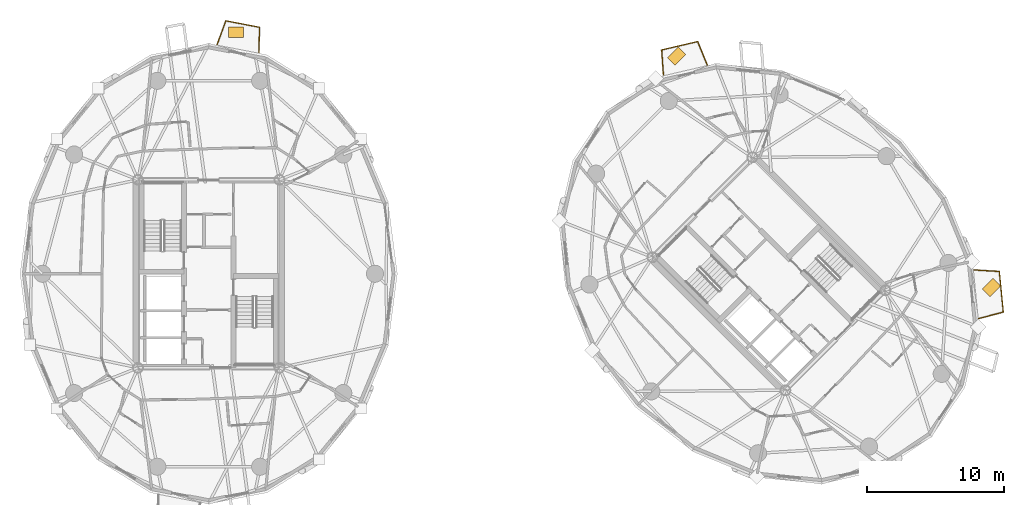
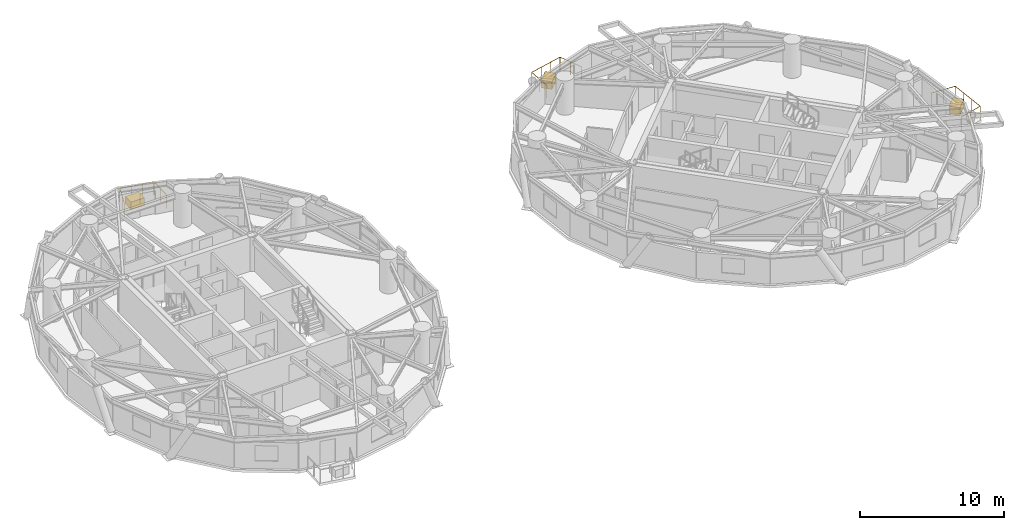
# One storey, part 19 of 19: 3 coverings, 3 railings.
"""IFC4 building model written with IfcOpenShell, lengths in metres."""

from ifc_helpers import new_model, si_unit, direction, frame, origin, origin_2d, place, context, subcontext, project, spatial, rectangle, circle, extrude, source, transform, mapped, material, layer, layer_set, type_object, element, save


model = new_model("IFC4")

# Units and contexts
model_context = context("Model", 3, precision=1e-05, world=origin(), true_north=direction((0.0, 1.0)))
body_context = subcontext(model_context, "Body", "Model", "MODEL_VIEW")
ifc_project = project(units=[si_unit("LENGTHUNIT", "METRE"), si_unit("AREAUNIT", "SQUARE_METRE"), si_unit("VOLUMEUNIT", "CUBIC_METRE"), si_unit("PLANEANGLEUNIT", "RADIAN"), si_unit("MASSUNIT", "GRAM", prefix="KILO")], contexts=[model_context])

# Site, building, storey
site_placement = place(None, origin())
site = spatial("IfcSite", under=ifc_project, at=site_placement, CompositionType="ELEMENT")
building_placement = place(site_placement, origin())
building = spatial("IfcBuilding", under=site, at=building_placement, Name="Cununo Teusaquillo Station Towers", CompositionType="ELEMENT")
storey_placement = place(building_placement, frame((0.0, 0.0, 177.7900390625)))
storey = spatial("IfcBuildingStorey", under=building, at=storey_placement, Name="L56", CompositionType="ELEMENT", Elevation=177.7900390625)

# Railings
ifc_material_1 = material(Name="Anodised dark bronze aluminium EN AW-6063-T6", Category="aluminium")
railing_type = type_object("IfcRailingType", Name="RL-EXT-GUARD", PredefinedType="GUARDRAIL", material=ifc_material_1)
railing_1_placement = place(storey_placement, frame((17.116455078125, 41.27734375, 0.0)))
element("IfcRailing", 1, at=railing_1_placement, inside=storey, type_object=railing_type, Name="L56 Tower A Balcony Guardrail C04", PredefinedType="GUARDRAIL", context=body_context, shape_type="SweptSolid", body=[
    extrude(circle(Radius=0.02392578125, at=origin_2d()), frame((0.0, 0.0, 1.1259765625), z_axis=(0.3440608985, 0.938947335117, 0.0), x_axis=(-0.938947335117, 0.3440608985, 0.0)), (0.0, 0.0, 1.0), 1.851318359375),
    extrude(circle(Radius=0.02392578125, at=origin_2d()), frame((0.636962890625, 1.73828125, 1.1259765625), z_axis=(0.981842829823, -0.189696224332, 0.0), x_axis=(0.189696224332, 0.981842829823, 0.0)), (0.0, 0.0, 1.0), 2.517333984375),
    extrude(circle(Radius=0.02392578125, at=origin_2d()), frame((3.108642578125, 1.2607421875, 1.1259765625), z_axis=(-0.030460792522, -0.999535962394, 0.0), x_axis=(0.999535962394, -0.030460792522, 0.0)), (0.0, 0.0, 1.0), 1.8515625),
    extrude(circle(Radius=0.02099609375, at=origin_2d()), origin(), (0.0, 0.0, 1.0), 1.101806640625),
    extrude(circle(Radius=0.02099609375, at=origin_2d()), frame((0.318359375, 0.869140625, 0.0)), (0.0, 0.0, 1.0), 1.101806640625),
    extrude(circle(Radius=0.02099609375, at=origin_2d()), frame((0.636962890625, 1.73828125, 0.0)), (0.0, 0.0, 1.0), 1.101806640625),
    extrude(circle(Radius=0.02099609375, at=origin_2d()), frame((1.4609375, 1.5791015625, 0.0)), (0.0, 0.0, 1.0), 1.101806640625),
    extrude(circle(Radius=0.02099609375, at=origin_2d()), frame((2.28466796875, 1.419921875, 0.0)), (0.0, 0.0, 1.0), 1.101806640625),
    extrude(circle(Radius=0.02099609375, at=origin_2d()), frame((3.108642578125, 1.2607421875, 0.0)), (0.0, 0.0, 1.0), 1.101806640625),
    extrude(circle(Radius=0.02099609375, at=origin_2d()), frame((3.08056640625, 0.33544921875, 0.0)), (0.0, 0.0, 1.0), 1.101806640625),
    extrude(circle(Radius=0.02099609375, at=origin_2d()), frame((3.05224609375, -0.58984375, 0.0)), (0.0, 0.0, 1.0), 1.101806640625),
])
railing_2_placement = place(storey_placement, frame((49.77978515625, 39.032958984375, 0.0)))
element("IfcRailing", 2, at=railing_2_placement, inside=storey, type_object=railing_type, Name="L56 Tower B Balcony Guardrail C03", PredefinedType="GUARDRAIL", context=body_context, shape_type="SweptSolid", body=[
    extrude(circle(Radius=0.02392578125, at=origin_2d()), frame((0.0, 0.0, 1.1259765625), z_axis=(-0.068693698785, 0.997637797874, 0.0), x_axis=(-0.997637797874, -0.068693698785, 0.0)), (0.0, 0.0, 1.0), 1.855224609375),
    extrude(circle(Radius=0.02392578125, at=origin_2d()), frame((-0.12744140625, 1.850830078125, 1.1259765625), z_axis=(0.973859874952, 0.227149606994, 0.0), x_axis=(-0.227149606994, 0.973859874952, 0.0)), (0.0, 0.0, 1.0), 2.700927734375),
    extrude(circle(Radius=0.02392578125, at=origin_2d()), frame((2.5029296875, 2.46435546875, 1.1259765625), z_axis=(0.379862541108, -0.925042944875, 0.0), x_axis=(0.925042944875, 0.379862541108, 0.0)), (0.0, 0.0, 1.0), 1.854736328125),
    extrude(circle(Radius=0.02099609375, at=origin_2d()), origin(), (0.0, 0.0, 1.0), 1.101806640625),
    extrude(circle(Radius=0.02099609375, at=origin_2d()), frame((-0.063720703125, 0.92529296875, 0.0)), (0.0, 0.0, 1.0), 1.101806640625),
    extrude(circle(Radius=0.02099609375, at=origin_2d()), frame((-0.12744140625, 1.850830078125, 0.0)), (0.0, 0.0, 1.0), 1.101806640625),
    extrude(circle(Radius=0.02099609375, at=origin_2d()), frame((0.749267578125, 2.055419921875, 0.0)), (0.0, 0.0, 1.0), 1.101806640625),
    extrude(circle(Radius=0.02099609375, at=origin_2d()), frame((1.626220703125, 2.259765625, 0.0)), (0.0, 0.0, 1.0), 1.101806640625),
    extrude(circle(Radius=0.02099609375, at=origin_2d()), frame((2.5029296875, 2.46435546875, 0.0)), (0.0, 0.0, 1.0), 1.101806640625),
    extrude(circle(Radius=0.02099609375, at=origin_2d()), frame((2.855224609375, 1.6064453125, 0.0)), (0.0, 0.0, 1.0), 1.101806640625),
    extrude(circle(Radius=0.02099609375, at=origin_2d()), frame((3.20751953125, 0.74853515625, 0.0)), (0.0, 0.0, 1.0), 1.101806640625),
])
railing_3_placement = place(storey_placement, frame((72.5068359375, 24.783447265625, 0.0)))
element("IfcRailing", 3, at=railing_3_placement, inside=storey, type_object=railing_type, Name="L56 Tower B Balcony Guardrail C17", PredefinedType="GUARDRAIL", context=body_context, shape_type="SweptSolid", body=[
    extrude(circle(Radius=0.02392578125, at=origin_2d()), frame((0.0, 0.0, 1.1259765625), z_axis=(0.998103815331, -0.061553016356, 0.0), x_axis=(0.061553016356, 0.998103815331, 0.0)), (0.0, 0.0, 1.0), 1.860107421875),
    extrude(circle(Radius=0.02392578125, at=origin_2d()), frame((1.856689453125, -0.114501953125, 1.1259765625), z_axis=(0.098604365732, -0.995126715076, 0.0), x_axis=(0.995126715076, 0.098604365732, 0.0)), (0.0, 0.0, 1.0), 2.983642578125),
    extrude(circle(Radius=0.02392578125, at=origin_2d()), frame((2.15087890625, -3.08349609375, 1.1259765625), z_axis=(-0.966593416032, -0.256314588121, 0.0), x_axis=(0.256314588121, -0.966593416032, 0.0)), (0.0, 0.0, 1.0), 1.8603515625),
    extrude(circle(Radius=0.02099609375, at=origin_2d()), origin(), (0.0, 0.0, 1.0), 1.101806640625),
    extrude(circle(Radius=0.02099609375, at=origin_2d()), frame((0.92822265625, -0.05712890625, 0.0)), (0.0, 0.0, 1.0), 1.101806640625),
    extrude(circle(Radius=0.02099609375, at=origin_2d()), frame((1.856689453125, -0.114501953125, 0.0)), (0.0, 0.0, 1.0), 1.101806640625),
    extrude(circle(Radius=0.02099609375, at=origin_2d()), frame((1.954833984375, -1.104248046875, 0.0)), (0.0, 0.0, 1.0), 1.101806640625),
    extrude(circle(Radius=0.02099609375, at=origin_2d()), frame((2.052734375, -2.09375, 0.0)), (0.0, 0.0, 1.0), 1.101806640625),
    extrude(circle(Radius=0.02099609375, at=origin_2d()), frame((2.15087890625, -3.08349609375, 0.0)), (0.0, 0.0, 1.0), 1.101806640625),
    extrude(circle(Radius=0.02099609375, at=origin_2d()), frame((1.251953125, -3.32177734375, 0.0)), (0.0, 0.0, 1.0), 1.101806640625),
    extrude(circle(Radius=0.02099609375, at=origin_2d()), frame((0.352783203125, -3.560302734375, 0.0)), (0.0, 0.0, 1.0), 1.101806640625),
])

# Coverings
ifc_material_2 = material(Name="Architectural GRC planter shell and engineered root-zone substrate", Category="concrete")
ifc_layer = layer(ifc_material_2, 0.64990234375)
ifc_layer_set = layer_set([ifc_layer], Name="Architectural GRC planter shell and engineered root-zone substrate")
covering_type = type_object("IfcCoveringType", Name="COV-TREE-PLANTER", PredefinedType="CLADDING", material=ifc_layer_set)
shared_shape = source(origin(), body_context, "Body", "SweptSolid", [
    extrude(rectangle(XDim=1.10009765625, YDim=0.800048828125, at=origin_2d()), origin(), (0.0, 0.0, 1.0), 0.64990234375),
])
for number, where, z_axis, x_axis, name in (
    (4, (18.48095703125, 42.17578125, 0.0), (0.0, 0.0, 1.0), (1.0, 0.0, 0.0), "L56 Tower A Balcony Tree PLANTER C04"),
    (5, (50.7490234375, 40.4326171875, 0.0), (0.0, 0.0, 1.0), (0.707106781187, 0.707106781187, 0.0), "L56 Tower B Balcony Tree PLANTER C03"),
    (6, (73.78466796875, 23.49951171875, 0.0), (0.0, 0.0, 1.0), (0.707106781187, 0.707106781187, 0.0), "L56 Tower B Balcony Tree PLANTER C17"),
):
    element("IfcCovering", number, at=place(storey_placement, frame(where, z_axis=z_axis, x_axis=x_axis)), inside=storey, type_object=covering_type, Name=name, PredefinedType="CLADDING", context=body_context, shape_type="MappedRepresentation", body=[
        mapped(shared_shape, transform((0.0, 0.0, 0.0), x_axis=(1.0, 0.0, 0.0), y_axis=(0.0, 1.0, 0.0), z_axis=(0.0, 0.0, 1.0), scale=1.0)),
    ])

save(model, "model.ifc")
